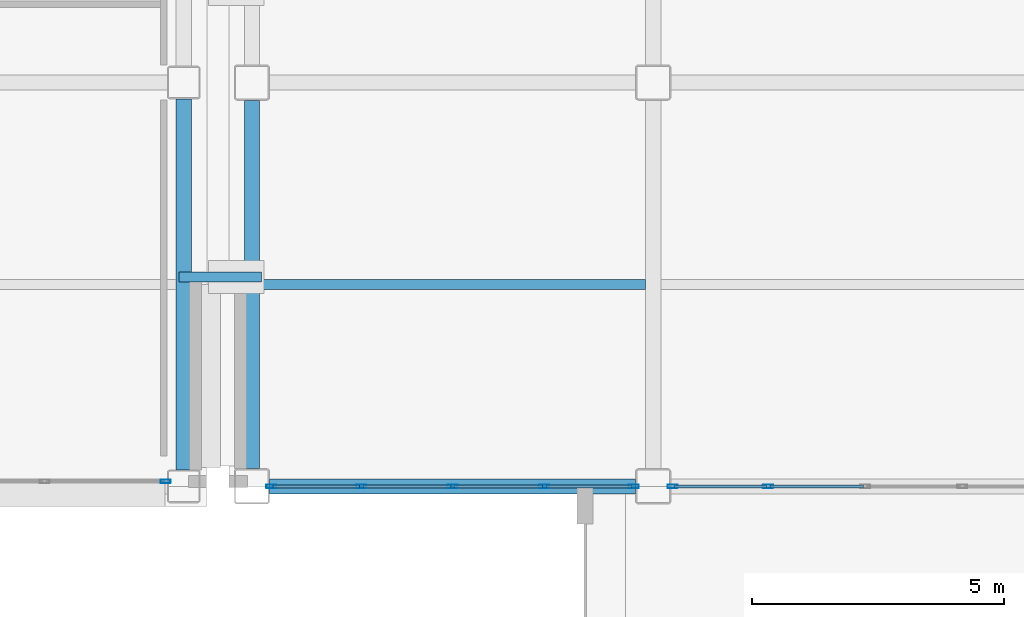
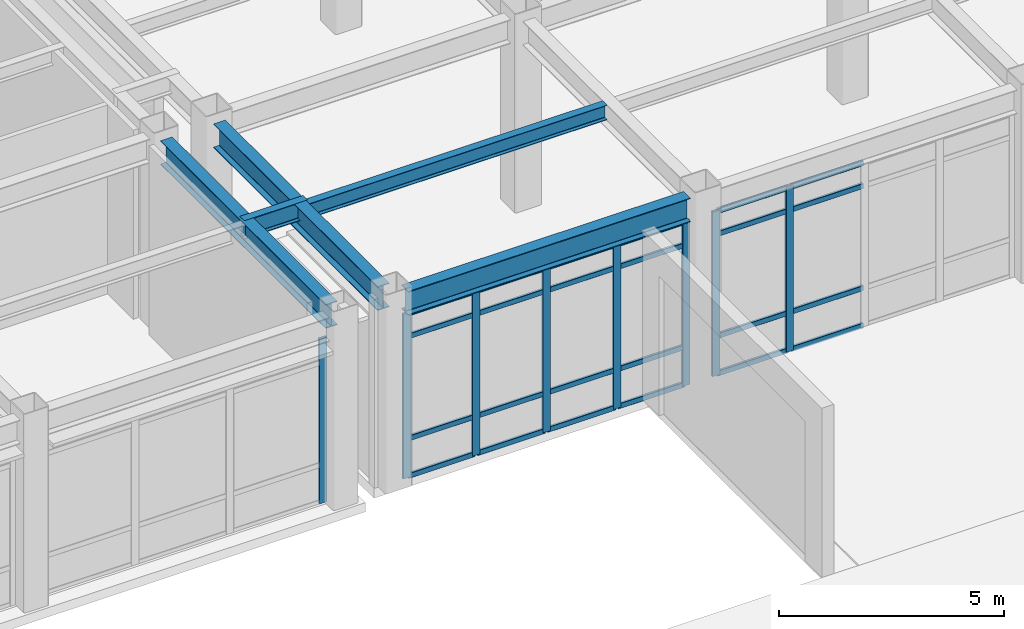
# One storey, part 45 of 165: 32 members, 5 beams, 3 elements without a shape of their own.
"""IFC4 building model written with IfcOpenShell, lengths in metres."""

import ifcopenshell
import ifcopenshell.guid

model = None  # the IFC model being written
_history = None  # IfcOwnerHistory: only IFC2X3 demands one
_inside = {}  # id of a spatial element -> (the spatial element, [elements in it])
_under = {}  # id of a project, library or spatial element -> (it, [spatial elements below it])
_declared = {}  # id of a project -> (the project, [libraries it declares])
_typed = {}  # id of a type object -> (the type object, [elements of that type])
_made_of = {}  # id of a material, layer set ... -> (it, [elements and type objects made of it])


def new_model(schema):
    """Start an empty IFC model of exactly this schema.

    Asked for "IFC4X3", IfcOpenShell would pick the latest addendum, in which some entities
    have other attributes; the version numbers below select the first issue.
    IFC2X3 requires an IfcOwnerHistory on every rooted entity: one is made here for all.
    """
    global model, _history
    if schema == "IFC4X3":
        model = ifcopenshell.file(schema_version=(4, 3, 0, 0))
    else:
        model = ifcopenshell.file(schema=schema)
    _inside.clear()
    _under.clear()
    _declared.clear()
    _typed.clear()
    _made_of.clear()
    _history = None
    if model.schema == "IFC2X3":
        org = make("IfcOrganization", Name="unknown")
        user = make(
            "IfcPersonAndOrganization",
            ThePerson=make("IfcPerson", FamilyName="unknown"),
            TheOrganization=org,
        )
        app = make(
            "IfcApplication",
            ApplicationDeveloper=org,
            Version="unknown",
            ApplicationFullName="unknown",
            ApplicationIdentifier="unknown",
        )
        _history = make(
            "IfcOwnerHistory",
            OwningUser=user,
            OwningApplication=app,
            ChangeAction="ADDED",
            CreationDate=0,
        )
    return model


def make(cls, **values):
    """One entity of the class cls with the attributes given. An attribute that is None is left unset."""
    return model.create_entity(
        cls, **{name: value for name, value in values.items() if value is not None}
    )


def rooted(cls, **values):
    """An entity with a GlobalId (a new one), such as an element, a storey or a relation."""
    return make(cls, GlobalId=ifcopenshell.guid.new(), OwnerHistory=_history, **values)


def si_unit(unit_type, name, prefix=None):
    """IfcSIUnit, for example si_unit("LENGTHUNIT", "METRE", prefix="MILLI")."""
    return make("IfcSIUnit", UnitType=unit_type, Prefix=prefix, Name=name)


def assignment(units):
    """IfcUnitAssignment: the units of a project."""
    return None if units is None else make("IfcUnitAssignment", Units=units)


def point(xyz):
    """IfcCartesianPoint."""
    return None if xyz is None else make("IfcCartesianPoint", Coordinates=xyz)


def direction(xyz):
    """IfcDirection."""
    return None if xyz is None else make("IfcDirection", DirectionRatios=xyz)


def frame(location, z_axis=None, x_axis=None):
    """IfcAxis2Placement3D, a coordinate frame: its origin and axes. An axis left out is left unset."""
    return make(
        "IfcAxis2Placement3D",
        Location=point(location),
        Axis=direction(z_axis),
        RefDirection=direction(x_axis),
    )


def frame_2d(location, x_axis=None):
    """IfcAxis2Placement2D, a coordinate frame in the plane: its origin and x axis."""
    return make(
        "IfcAxis2Placement2D", Location=point(location), RefDirection=direction(x_axis)
    )


def origin():
    """The frame at (0, 0, 0) with its axes left unset."""
    return frame((0.0, 0.0, 0.0))


def origin_2d():
    """The frame at (0, 0) in the plane with its x axis left unset."""
    return frame_2d((0.0, 0.0))


def place(relative_to, where):
    """IfcLocalPlacement: puts the frame where relative to a parent placement (None: the world)."""
    return make(
        "IfcLocalPlacement", PlacementRelTo=relative_to, RelativePlacement=where
    )


def context(
    kind, dimensions, precision=None, world=None, true_north=None, identifier=None
):
    """IfcGeometricRepresentationContext, for example the 3D "Model" context."""
    return make(
        "IfcGeometricRepresentationContext",
        ContextIdentifier=identifier,
        ContextType=kind,
        CoordinateSpaceDimension=dimensions,
        Precision=precision,
        WorldCoordinateSystem=world,
        TrueNorth=true_north,
    )


def subcontext(parent, identifier, kind, view, scale=None):
    """IfcGeometricRepresentationSubContext, for example "Body" below "Model"."""
    return make(
        "IfcGeometricRepresentationSubContext",
        ContextIdentifier=identifier,
        ContextType=kind,
        ParentContext=parent,
        TargetScale=scale,
        TargetView=view,
    )


def project(units=None, contexts=None):
    """IfcProject with its units and contexts."""
    return rooted(
        "IfcProject",
        Name="project",
        RepresentationContexts=contexts,
        UnitsInContext=assignment(units),
    )


def spatial(cls, under=None, at=None, **own):
    """A site, building, storey or space (cls), placed at a placement, below another one or the project."""
    s = rooted(cls, ObjectPlacement=at, **own)
    if under is not None:
        _under.setdefault(under.id(), (under, []))[1].append(s)
    return s


def profile(cls, at=None, kind="AREA", **sizes):
    """A parametric profile (cls). Its sizes go by their IFC names, for example OverallWidth=200.0."""
    return make(cls, ProfileType=kind, Position=at, **sizes)


def hollow_rectangle(**sizes):
    """IfcRectangleHollowProfileDef."""
    return profile("IfcRectangleHollowProfileDef", **sizes)


def i_section(**sizes):
    """IfcIShapeProfileDef."""
    return profile("IfcIShapeProfileDef", **sizes)


def extrude(swept, where, along, depth):
    """IfcExtrudedAreaSolid: the profile swept, set in the frame where, extruded along a direction by depth."""
    return make(
        "IfcExtrudedAreaSolid",
        SweptArea=swept,
        Position=where,
        ExtrudedDirection=direction(along),
        Depth=depth,
    )


def shape(context_of_items, identifier, shape_type, items):
    """IfcShapeRepresentation: the items that make up one representation, for example the "Body"."""
    return make(
        "IfcShapeRepresentation",
        ContextOfItems=context_of_items,
        RepresentationIdentifier=identifier,
        RepresentationType=shape_type,
        Items=items,
    )


def material(Name=None, Category=None):
    """IfcMaterial."""
    return make("IfcMaterial", Name=Name, Category=Category)


def layer(
    of_material, thickness, ventilated=None, Name=None, Category=None, Priority=None
):
    """IfcMaterialLayer: one layer of a wall or slab, of a material (None: an air gap)."""
    return make(
        "IfcMaterialLayer",
        Material=of_material,
        LayerThickness=thickness,
        IsVentilated=ventilated,
        Name=Name,
        Category=Category,
        Priority=Priority,
    )


def layer_set(layers, Name=None):
    """IfcMaterialLayerSet."""
    return make("IfcMaterialLayerSet", MaterialLayers=layers, LayerSetName=Name)


def material_profile(
    of_material, cross_section, Name=None, Category=None, Priority=None
):
    """IfcMaterialProfile: a cross section and its material."""
    return make(
        "IfcMaterialProfile",
        Name=Name,
        Material=of_material,
        Profile=cross_section,
        Priority=Priority,
        Category=Category,
    )


def profile_set(profiles, Name=None, composite=None):
    """IfcMaterialProfileSet."""
    return make(
        "IfcMaterialProfileSet",
        Name=Name,
        MaterialProfiles=profiles,
        CompositeProfile=composite,
    )


def made_of(thing, what):
    """Note that an element or type object is made of a material, layer set ...; save() writes the relation."""
    if what is not None:
        _made_of.setdefault(what.id(), (what, []))[1].append(thing)
    return thing


def type_object(cls, material=None, **own):
    """A type object (cls), such as IfcWallType, which elements share."""
    return made_of(rooted(cls, **own), material)


def element(
    cls,
    number,
    at=None,
    inside=None,
    cuts=None,
    type_object=None,
    material=None,
    context=None,
    identifier="Body",
    shape_type=None,
    held_by="IfcProductDefinitionShape",
    body=None,
    shapes=None,
    **own,
):
    """One element of the class cls, such as IfcWall. Its Tag is "e" and its number.

    at: its placement. inside: the storey or other place that contains it. cuts: it is an
    opening in that element (IfcRelVoidsElement). A single representation is given by context,
    identifier, shape_type and body (its items); several are given by shapes. held_by: the class
    of the entity that holds the representations. save() writes the other relations.
    """
    e = rooted(cls, Tag="e%d" % number, ObjectPlacement=at, **own)
    if body is not None:
        shapes = [shape(context, identifier, shape_type, body)]
    if shapes is not None:
        e.Representation = make(held_by, Representations=shapes)
    if inside is not None:
        _inside.setdefault(inside.id(), (inside, []))[1].append(e)
    if cuts is not None:
        rooted(
            "IfcRelVoidsElement", RelatingBuildingElement=cuts, RelatedOpeningElement=e
        )
    if type_object is not None:
        _typed.setdefault(type_object.id(), (type_object, []))[1].append(e)
    return made_of(e, material)


def aggregate(whole, parts):
    """IfcRelAggregates: a whole, such as a stair, and the parts it consists of."""
    return rooted("IfcRelAggregates", RelatingObject=whole, RelatedObjects=parts)


def save(model, path):
    """Write the relations noted so far, then the file.

    IfcRelAggregates (storeys below a building ...), IfcRelContainedInSpatialStructure (elements
    in a storey), IfcRelDefinesByType, IfcRelAssociatesMaterial and IfcRelDeclares: one each for
    every whole, place, type object, material and project.
    """
    for whole, parts in _under.values():
        aggregate(whole, parts)
    for where, things in _inside.values():
        rooted(
            "IfcRelContainedInSpatialStructure",
            RelatedElements=things,
            RelatingStructure=where,
        )
    for kind, things in _typed.values():
        rooted("IfcRelDefinesByType", RelatedObjects=things, RelatingType=kind)
    for what, things in _made_of.values():
        rooted("IfcRelAssociatesMaterial", RelatedObjects=things, RelatingMaterial=what)
    for by, libraries in _declared.values():
        rooted("IfcRelDeclares", RelatingContext=by, RelatedDefinitions=libraries)
    model.write(path)


model = new_model("IFC4")

# Units and contexts
model_context = context("Model", 3, precision=1e-05, world=origin(), true_north=direction((0.0, 1.0)))
body_context = subcontext(model_context, "Body", "Model", "MODEL_VIEW")
ifc_project = project(units=[si_unit("LENGTHUNIT", "METRE"), si_unit("AREAUNIT", "SQUARE_METRE"), si_unit("VOLUMEUNIT", "CUBIC_METRE"), si_unit("PLANEANGLEUNIT", "RADIAN"), si_unit("MASSUNIT", "GRAM", prefix="KILO")], contexts=[model_context])

# Site, building, storey
site_placement = place(None, origin())
site = spatial("IfcSite", under=ifc_project, at=site_placement, CompositionType="ELEMENT")
building_placement = place(site_placement, origin())
building = spatial("IfcBuilding", under=site, at=building_placement, Name="Kazehara Bluff Congress Hotel", CompositionType="ELEMENT")
storey_placement = place(building_placement, origin())
storey = spatial("IfcBuildingStorey", under=building, at=storey_placement, Name="L00", CompositionType="ELEMENT", Elevation=0.0)

# Curtain wall, members
ifc_material_1 = material(Name="Anodised aluminium", Category="aluminium")
ifc_layer_1 = layer(ifc_material_1, 0.159912109375)
ifc_layer_set_1 = layer_set([ifc_layer_1], Name="Anodised aluminium")
curtain_wall_type_1 = type_object("IfcCurtainWallType", Name="TP-CW-77", PredefinedType="NOTDEFINED", material=ifc_layer_set_1)
curtain_wall_1_placement = place(storey_placement, origin())
curtain_wall_1 = element("IfcCurtainWall", 1, at=curtain_wall_1_placement, inside=storey, type_object=curtain_wall_type_1, Name="L00 curtain wall CW-77 CW-V5-L00-Y1600-11090", PredefinedType="NOTDEFINED")
ifc_material_2 = material(Name="Anodised aluminium", Category="aluminium")
ifc_material_profile_1 = material_profile(ifc_material_2, hollow_rectangle(XDim=0.070068359375, YDim=0.199951171875, WallThickness=0.0048828125, InnerFilletRadius=0.0048828125, OuterFilletRadius=0.010009765625, at=origin_2d()))
ifc_profile_set_1 = profile_set([ifc_material_profile_1], Name="Anodised aluminium")
member_type_1 = type_object("IfcMemberType", Name="TP-CWM-03", PredefinedType="MULLION", material=ifc_profile_set_1)
member_1_placement = place(storey_placement, frame((110.93505859375, 16.0, 0.0), z_axis=(0.0, 0.0, 1.0), x_axis=(0.0, 1.0, 0.0)))
member_1 = element("IfcMember", 2, at=member_1_placement, type_object=member_type_1, Name="CW-77 mullion 1", PredefinedType="MULLION", context=body_context, shape_type="SweptSolid", body=[
    extrude(hollow_rectangle(XDim=0.070068359375, YDim=0.199951171875, WallThickness=0.0048828125, InnerFilletRadius=0.0048828125, OuterFilletRadius=0.010009765625, at=origin_2d()), origin(), (0.0, 0.0, 1.0), 4.47509765625),
])
member_2_placement = place(storey_placement, frame((112.71240234375, 16.0, 0.0), z_axis=(0.0, 0.0, 1.0), x_axis=(0.0, 1.0, 0.0)))
member_2 = element("IfcMember", 3, at=member_2_placement, type_object=member_type_1, Name="CW-77 mullion 2", PredefinedType="MULLION", context=body_context, shape_type="SweptSolid", body=[
    extrude(hollow_rectangle(XDim=0.070068359375, YDim=0.199951171875, WallThickness=0.0048828125, InnerFilletRadius=0.0048828125, OuterFilletRadius=0.010009765625, at=origin_2d()), origin(), (0.0, 0.0, 1.0), 4.47509765625),
])
member_3_placement = place(storey_placement, frame((114.52490234375, 16.0, 0.0), z_axis=(0.0, 0.0, 1.0), x_axis=(0.0, 1.0, 0.0)))
member_3 = element("IfcMember", 4, at=member_3_placement, type_object=member_type_1, Name="CW-77 mullion 3", PredefinedType="MULLION", context=body_context, shape_type="SweptSolid", body=[
    extrude(hollow_rectangle(XDim=0.070068359375, YDim=0.199951171875, WallThickness=0.0048828125, InnerFilletRadius=0.0048828125, OuterFilletRadius=0.010009765625, at=origin_2d()), origin(), (0.0, 0.0, 1.0), 4.47509765625),
])
member_4_placement = place(storey_placement, frame((116.33740234375, 16.0, 0.0), z_axis=(0.0, 0.0, 1.0), x_axis=(0.0, 1.0, 0.0)))
member_4 = element("IfcMember", 5, at=member_4_placement, type_object=member_type_1, Name="CW-77 mullion 4", PredefinedType="MULLION", context=body_context, shape_type="SweptSolid", body=[
    extrude(hollow_rectangle(XDim=0.070068359375, YDim=0.199951171875, WallThickness=0.0048828125, InnerFilletRadius=0.0048828125, OuterFilletRadius=0.010009765625, at=origin_2d()), origin(), (0.0, 0.0, 1.0), 4.47509765625),
])
member_5_placement = place(storey_placement, frame((118.114990234375, 16.0, 0.0), z_axis=(0.0, 0.0, 1.0), x_axis=(0.0, 1.0, 0.0)))
member_5 = element("IfcMember", 6, at=member_5_placement, type_object=member_type_1, Name="CW-77 mullion 5", PredefinedType="MULLION", context=body_context, shape_type="SweptSolid", body=[
    extrude(hollow_rectangle(XDim=0.070068359375, YDim=0.199951171875, WallThickness=0.0048828125, InnerFilletRadius=0.0048828125, OuterFilletRadius=0.010009765625, at=origin_2d()), origin(), (0.0, 0.0, 1.0), 4.47509765625),
])

ifc_material_3 = material(Name="Anodised aluminium", Category="aluminium")
ifc_layer_2 = layer(ifc_material_3, 0.159912109375)
ifc_layer_set_2 = layer_set([ifc_layer_2], Name="Anodised aluminium")
curtain_wall_type_2 = type_object("IfcCurtainWallType", Name="TP-CW-26", PredefinedType="NOTDEFINED", material=ifc_layer_set_2)
curtain_wall_2_placement = place(storey_placement, origin())
curtain_wall_2 = element("IfcCurtainWall", 7, at=curtain_wall_2_placement, inside=storey, type_object=curtain_wall_type_2, Name="L00 curtain wall CW-26 CW-V5-L00-Y1600-11885", PredefinedType="NOTDEFINED")
member_6_placement = place(storey_placement, frame((118.885009765625, 16.0, 0.0), z_axis=(0.0, 0.0, 1.0), x_axis=(0.0, 1.0, 0.0)))
member_6 = element("IfcMember", 8, at=member_6_placement, type_object=member_type_1, Name="CW-26 mullion 1", PredefinedType="MULLION", context=body_context, shape_type="SweptSolid", body=[
    extrude(hollow_rectangle(XDim=0.070068359375, YDim=0.199951171875, WallThickness=0.0048828125, InnerFilletRadius=0.0048828125, OuterFilletRadius=0.010009765625, at=origin_2d()), origin(), (0.0, 0.0, 1.0), 4.47509765625),
])
member_7_placement = place(storey_placement, frame((120.77490234375, 16.0, 0.0), z_axis=(0.0, 0.0, 1.0), x_axis=(0.0, 1.0, 0.0)))
member_7 = element("IfcMember", 9, at=member_7_placement, type_object=member_type_1, Name="CW-26 mullion 2", PredefinedType="MULLION", context=body_context, shape_type="SweptSolid", body=[
    extrude(hollow_rectangle(XDim=0.070068359375, YDim=0.199951171875, WallThickness=0.0048828125, InnerFilletRadius=0.0048828125, OuterFilletRadius=0.010009765625, at=origin_2d()), origin(), (0.0, 0.0, 1.0), 4.47509765625),
])

# Curtain wall, member
ifc_material_4 = material(Name="Anodised aluminium", Category="aluminium")
ifc_layer_3 = layer(ifc_material_4, 0.159912109375)
ifc_layer_set_3 = layer_set([ifc_layer_3], Name="Anodised aluminium")
curtain_wall_type_3 = type_object("IfcCurtainWallType", Name="TP-CW-32", PredefinedType="NOTDEFINED", material=ifc_layer_set_3)
curtain_wall_3_placement = place(storey_placement, origin())
curtain_wall_3 = element("IfcCurtainWall", 10, at=curtain_wall_3_placement, inside=storey, type_object=curtain_wall_type_3, Name="L00 curtain wall CW-32 CW-ENC-V4-L00-10522-1610", PredefinedType="NOTDEFINED")
member_8_placement = place(storey_placement, frame((108.840087890625, 16.10009765625, 0.0), z_axis=(0.0, 0.0, 1.0), x_axis=(0.0, -1.0, 0.0)))
member_8 = element("IfcMember", 11, at=member_8_placement, type_object=member_type_1, Name="CW-32 mullion 1", PredefinedType="MULLION", context=body_context, shape_type="SweptSolid", body=[
    extrude(hollow_rectangle(XDim=0.070068359375, YDim=0.199951171875, WallThickness=0.0048828125, InnerFilletRadius=0.0048828125, OuterFilletRadius=0.010009765625, at=origin_2d()), origin(), (0.0, 0.0, 1.0), 4.47509765625),
])
aggregate(curtain_wall_3, [member_8])

# Member
ifc_material_5 = material(Name="Anodised aluminium", Category="aluminium")
ifc_material_profile_2 = material_profile(ifc_material_5, hollow_rectangle(XDim=0.06494140625, YDim=0.139892578125, WallThickness=0.00390625, InnerFilletRadius=0.00390625, OuterFilletRadius=0.008056640625, at=origin_2d()))
ifc_profile_set_2 = profile_set([ifc_material_profile_2], Name="Anodised aluminium")
member_type_2 = type_object("IfcMemberType", Name="TP-CWT-02", PredefinedType="USERDEFINED", material=ifc_profile_set_2)
member_9_placement = place(storey_placement, frame((110.969970703125, 16.0, 0.032470703125), z_axis=(1.0, 0.0, 0.0), x_axis=(0.0, 1.0, 0.0)))
member_9 = element("IfcMember", 12, at=member_9_placement, type_object=member_type_2, Name="CW-77 transom 1.1", ObjectType="TRANSOM", PredefinedType="USERDEFINED", context=body_context, shape_type="SweptSolid", body=[
    extrude(hollow_rectangle(XDim=0.06494140625, YDim=0.139892578125, WallThickness=0.00390625, InnerFilletRadius=0.00390625, OuterFilletRadius=0.008056640625, at=origin_2d()), origin(), (0.0, 0.0, 1.0), 1.70751953125),
])

member_10_placement = place(storey_placement, frame((110.969970703125, 16.0, 1.050048828125), z_axis=(1.0, 0.0, 0.0), x_axis=(0.0, 1.0, 0.0)))
member_10 = element("IfcMember", 13, at=member_10_placement, type_object=member_type_2, Name="CW-77 transom 1.2", ObjectType="TRANSOM", PredefinedType="USERDEFINED", context=body_context, shape_type="SweptSolid", body=[
    extrude(hollow_rectangle(XDim=0.06494140625, YDim=0.139892578125, WallThickness=0.00390625, InnerFilletRadius=0.00390625, OuterFilletRadius=0.008056640625, at=origin_2d()), origin(), (0.0, 0.0, 1.0), 1.70751953125),
])

member_11_placement = place(storey_placement, frame((110.969970703125, 16.0, 3.824951171875), z_axis=(1.0, 0.0, 0.0), x_axis=(0.0, 1.0, 0.0)))
member_11 = element("IfcMember", 14, at=member_11_placement, type_object=member_type_2, Name="CW-77 transom 1.3", ObjectType="TRANSOM", PredefinedType="USERDEFINED", context=body_context, shape_type="SweptSolid", body=[
    extrude(hollow_rectangle(XDim=0.06494140625, YDim=0.139892578125, WallThickness=0.00390625, InnerFilletRadius=0.00390625, OuterFilletRadius=0.008056640625, at=origin_2d()), origin(), (0.0, 0.0, 1.0), 1.70751953125),
])

member_12_placement = place(storey_placement, frame((110.969970703125, 16.0, 4.4423828125), z_axis=(1.0, 0.0, 0.0), x_axis=(0.0, 1.0, 0.0)))
member_12 = element("IfcMember", 15, at=member_12_placement, type_object=member_type_2, Name="CW-77 transom 1.4", ObjectType="TRANSOM", PredefinedType="USERDEFINED", context=body_context, shape_type="SweptSolid", body=[
    extrude(hollow_rectangle(XDim=0.06494140625, YDim=0.139892578125, WallThickness=0.00390625, InnerFilletRadius=0.00390625, OuterFilletRadius=0.008056640625, at=origin_2d()), origin(), (0.0, 0.0, 1.0), 1.70751953125),
])

member_13_placement = place(storey_placement, frame((112.74755859375, 16.0, 0.032470703125), z_axis=(1.0, 0.0, 0.0), x_axis=(0.0, 1.0, 0.0)))
member_13 = element("IfcMember", 16, at=member_13_placement, type_object=member_type_2, Name="CW-77 transom 2.1", ObjectType="TRANSOM", PredefinedType="USERDEFINED", context=body_context, shape_type="SweptSolid", body=[
    extrude(hollow_rectangle(XDim=0.06494140625, YDim=0.139892578125, WallThickness=0.00390625, InnerFilletRadius=0.00390625, OuterFilletRadius=0.008056640625, at=origin_2d()), origin(), (0.0, 0.0, 1.0), 1.742431640625),
])

member_14_placement = place(storey_placement, frame((112.74755859375, 16.0, 1.050048828125), z_axis=(1.0, 0.0, 0.0), x_axis=(0.0, 1.0, 0.0)))
member_14 = element("IfcMember", 17, at=member_14_placement, type_object=member_type_2, Name="CW-77 transom 2.2", ObjectType="TRANSOM", PredefinedType="USERDEFINED", context=body_context, shape_type="SweptSolid", body=[
    extrude(hollow_rectangle(XDim=0.06494140625, YDim=0.139892578125, WallThickness=0.00390625, InnerFilletRadius=0.00390625, OuterFilletRadius=0.008056640625, at=origin_2d()), origin(), (0.0, 0.0, 1.0), 1.742431640625),
])

member_15_placement = place(storey_placement, frame((112.74755859375, 16.0, 3.824951171875), z_axis=(1.0, 0.0, 0.0), x_axis=(0.0, 1.0, 0.0)))
member_15 = element("IfcMember", 18, at=member_15_placement, type_object=member_type_2, Name="CW-77 transom 2.3", ObjectType="TRANSOM", PredefinedType="USERDEFINED", context=body_context, shape_type="SweptSolid", body=[
    extrude(hollow_rectangle(XDim=0.06494140625, YDim=0.139892578125, WallThickness=0.00390625, InnerFilletRadius=0.00390625, OuterFilletRadius=0.008056640625, at=origin_2d()), origin(), (0.0, 0.0, 1.0), 1.742431640625),
])

member_16_placement = place(storey_placement, frame((112.74755859375, 16.0, 4.4423828125), z_axis=(1.0, 0.0, 0.0), x_axis=(0.0, 1.0, 0.0)))
member_16 = element("IfcMember", 19, at=member_16_placement, type_object=member_type_2, Name="CW-77 transom 2.4", ObjectType="TRANSOM", PredefinedType="USERDEFINED", context=body_context, shape_type="SweptSolid", body=[
    extrude(hollow_rectangle(XDim=0.06494140625, YDim=0.139892578125, WallThickness=0.00390625, InnerFilletRadius=0.00390625, OuterFilletRadius=0.008056640625, at=origin_2d()), origin(), (0.0, 0.0, 1.0), 1.742431640625),
])

member_17_placement = place(storey_placement, frame((114.56005859375, 16.0, 0.032470703125), z_axis=(1.0, 0.0, 0.0), x_axis=(0.0, 1.0, 0.0)))
member_17 = element("IfcMember", 20, at=member_17_placement, type_object=member_type_2, Name="CW-77 transom 3.1", ObjectType="TRANSOM", PredefinedType="USERDEFINED", context=body_context, shape_type="SweptSolid", body=[
    extrude(hollow_rectangle(XDim=0.06494140625, YDim=0.139892578125, WallThickness=0.00390625, InnerFilletRadius=0.00390625, OuterFilletRadius=0.008056640625, at=origin_2d()), origin(), (0.0, 0.0, 1.0), 1.742431640625),
])

member_18_placement = place(storey_placement, frame((114.56005859375, 16.0, 1.050048828125), z_axis=(1.0, 0.0, 0.0), x_axis=(0.0, 1.0, 0.0)))
member_18 = element("IfcMember", 21, at=member_18_placement, type_object=member_type_2, Name="CW-77 transom 3.2", ObjectType="TRANSOM", PredefinedType="USERDEFINED", context=body_context, shape_type="SweptSolid", body=[
    extrude(hollow_rectangle(XDim=0.06494140625, YDim=0.139892578125, WallThickness=0.00390625, InnerFilletRadius=0.00390625, OuterFilletRadius=0.008056640625, at=origin_2d()), origin(), (0.0, 0.0, 1.0), 1.742431640625),
])

member_19_placement = place(storey_placement, frame((114.56005859375, 16.0, 3.824951171875), z_axis=(1.0, 0.0, 0.0), x_axis=(0.0, 1.0, 0.0)))
member_19 = element("IfcMember", 22, at=member_19_placement, type_object=member_type_2, Name="CW-77 transom 3.3", ObjectType="TRANSOM", PredefinedType="USERDEFINED", context=body_context, shape_type="SweptSolid", body=[
    extrude(hollow_rectangle(XDim=0.06494140625, YDim=0.139892578125, WallThickness=0.00390625, InnerFilletRadius=0.00390625, OuterFilletRadius=0.008056640625, at=origin_2d()), origin(), (0.0, 0.0, 1.0), 1.742431640625),
])

member_20_placement = place(storey_placement, frame((114.56005859375, 16.0, 4.4423828125), z_axis=(1.0, 0.0, 0.0), x_axis=(0.0, 1.0, 0.0)))
member_20 = element("IfcMember", 23, at=member_20_placement, type_object=member_type_2, Name="CW-77 transom 3.4", ObjectType="TRANSOM", PredefinedType="USERDEFINED", context=body_context, shape_type="SweptSolid", body=[
    extrude(hollow_rectangle(XDim=0.06494140625, YDim=0.139892578125, WallThickness=0.00390625, InnerFilletRadius=0.00390625, OuterFilletRadius=0.008056640625, at=origin_2d()), origin(), (0.0, 0.0, 1.0), 1.742431640625),
])

member_21_placement = place(storey_placement, frame((116.37255859375, 16.0, 0.032470703125), z_axis=(1.0, 0.0, 0.0), x_axis=(0.0, 1.0, 0.0)))
member_21 = element("IfcMember", 24, at=member_21_placement, type_object=member_type_2, Name="CW-77 transom 4.1", ObjectType="TRANSOM", PredefinedType="USERDEFINED", context=body_context, shape_type="SweptSolid", body=[
    extrude(hollow_rectangle(XDim=0.06494140625, YDim=0.139892578125, WallThickness=0.00390625, InnerFilletRadius=0.00390625, OuterFilletRadius=0.008056640625, at=origin_2d()), origin(), (0.0, 0.0, 1.0), 1.70751953125),
])

member_22_placement = place(storey_placement, frame((116.37255859375, 16.0, 1.050048828125), z_axis=(1.0, 0.0, 0.0), x_axis=(0.0, 1.0, 0.0)))
member_22 = element("IfcMember", 25, at=member_22_placement, type_object=member_type_2, Name="CW-77 transom 4.2", ObjectType="TRANSOM", PredefinedType="USERDEFINED", context=body_context, shape_type="SweptSolid", body=[
    extrude(hollow_rectangle(XDim=0.06494140625, YDim=0.139892578125, WallThickness=0.00390625, InnerFilletRadius=0.00390625, OuterFilletRadius=0.008056640625, at=origin_2d()), origin(), (0.0, 0.0, 1.0), 1.70751953125),
])

member_23_placement = place(storey_placement, frame((116.37255859375, 16.0, 3.824951171875), z_axis=(1.0, 0.0, 0.0), x_axis=(0.0, 1.0, 0.0)))
member_23 = element("IfcMember", 26, at=member_23_placement, type_object=member_type_2, Name="CW-77 transom 4.3", ObjectType="TRANSOM", PredefinedType="USERDEFINED", context=body_context, shape_type="SweptSolid", body=[
    extrude(hollow_rectangle(XDim=0.06494140625, YDim=0.139892578125, WallThickness=0.00390625, InnerFilletRadius=0.00390625, OuterFilletRadius=0.008056640625, at=origin_2d()), origin(), (0.0, 0.0, 1.0), 1.70751953125),
])

member_24_placement = place(storey_placement, frame((116.37255859375, 16.0, 4.4423828125), z_axis=(1.0, 0.0, 0.0), x_axis=(0.0, 1.0, 0.0)))
member_24 = element("IfcMember", 27, at=member_24_placement, type_object=member_type_2, Name="CW-77 transom 4.4", ObjectType="TRANSOM", PredefinedType="USERDEFINED", context=body_context, shape_type="SweptSolid", body=[
    extrude(hollow_rectangle(XDim=0.06494140625, YDim=0.139892578125, WallThickness=0.00390625, InnerFilletRadius=0.00390625, OuterFilletRadius=0.008056640625, at=origin_2d()), origin(), (0.0, 0.0, 1.0), 1.70751953125),
])

aggregate(curtain_wall_1, [member_1, member_2, member_3, member_4, member_5, member_9, member_10, member_11, member_12, member_13, member_14, member_15, member_16, member_17, member_18, member_19, member_20, member_21, member_22, member_23, member_24])

member_25_placement = place(storey_placement, frame((118.919921875, 16.0, 0.032470703125), z_axis=(1.0, 0.0, 0.0), x_axis=(0.0, 1.0, 0.0)))
member_25 = element("IfcMember", 28, at=member_25_placement, type_object=member_type_2, Name="CW-26 transom 1.1", ObjectType="TRANSOM", PredefinedType="USERDEFINED", context=body_context, shape_type="SweptSolid", body=[
    extrude(hollow_rectangle(XDim=0.06494140625, YDim=0.139892578125, WallThickness=0.00390625, InnerFilletRadius=0.00390625, OuterFilletRadius=0.008056640625, at=origin_2d()), origin(), (0.0, 0.0, 1.0), 1.820068359375),
])

member_26_placement = place(storey_placement, frame((118.919921875, 16.0, 1.050048828125), z_axis=(1.0, 0.0, 0.0), x_axis=(0.0, 1.0, 0.0)))
member_26 = element("IfcMember", 29, at=member_26_placement, type_object=member_type_2, Name="CW-26 transom 1.2", ObjectType="TRANSOM", PredefinedType="USERDEFINED", context=body_context, shape_type="SweptSolid", body=[
    extrude(hollow_rectangle(XDim=0.06494140625, YDim=0.139892578125, WallThickness=0.00390625, InnerFilletRadius=0.00390625, OuterFilletRadius=0.008056640625, at=origin_2d()), origin(), (0.0, 0.0, 1.0), 1.820068359375),
])

member_27_placement = place(storey_placement, frame((118.919921875, 16.0, 3.824951171875), z_axis=(1.0, 0.0, 0.0), x_axis=(0.0, 1.0, 0.0)))
member_27 = element("IfcMember", 30, at=member_27_placement, type_object=member_type_2, Name="CW-26 transom 1.3", ObjectType="TRANSOM", PredefinedType="USERDEFINED", context=body_context, shape_type="SweptSolid", body=[
    extrude(hollow_rectangle(XDim=0.06494140625, YDim=0.139892578125, WallThickness=0.00390625, InnerFilletRadius=0.00390625, OuterFilletRadius=0.008056640625, at=origin_2d()), origin(), (0.0, 0.0, 1.0), 1.820068359375),
])

member_28_placement = place(storey_placement, frame((118.919921875, 16.0, 4.4423828125), z_axis=(1.0, 0.0, 0.0), x_axis=(0.0, 1.0, 0.0)))
member_28 = element("IfcMember", 31, at=member_28_placement, type_object=member_type_2, Name="CW-26 transom 1.4", ObjectType="TRANSOM", PredefinedType="USERDEFINED", context=body_context, shape_type="SweptSolid", body=[
    extrude(hollow_rectangle(XDim=0.06494140625, YDim=0.139892578125, WallThickness=0.00390625, InnerFilletRadius=0.00390625, OuterFilletRadius=0.008056640625, at=origin_2d()), origin(), (0.0, 0.0, 1.0), 1.820068359375),
])

member_29_placement = place(storey_placement, frame((120.81005859375, 16.0, 0.032470703125), z_axis=(1.0, 0.0, 0.0), x_axis=(0.0, 1.0, 0.0)))
member_29 = element("IfcMember", 32, at=member_29_placement, type_object=member_type_2, Name="CW-26 transom 2.1", ObjectType="TRANSOM", PredefinedType="USERDEFINED", context=body_context, shape_type="SweptSolid", body=[
    extrude(hollow_rectangle(XDim=0.06494140625, YDim=0.139892578125, WallThickness=0.00390625, InnerFilletRadius=0.00390625, OuterFilletRadius=0.008056640625, at=origin_2d()), origin(), (0.0, 0.0, 1.0), 1.85498046875),
])

member_30_placement = place(storey_placement, frame((120.81005859375, 16.0, 1.050048828125), z_axis=(1.0, 0.0, 0.0), x_axis=(0.0, 1.0, 0.0)))
member_30 = element("IfcMember", 33, at=member_30_placement, type_object=member_type_2, Name="CW-26 transom 2.2", ObjectType="TRANSOM", PredefinedType="USERDEFINED", context=body_context, shape_type="SweptSolid", body=[
    extrude(hollow_rectangle(XDim=0.06494140625, YDim=0.139892578125, WallThickness=0.00390625, InnerFilletRadius=0.00390625, OuterFilletRadius=0.008056640625, at=origin_2d()), origin(), (0.0, 0.0, 1.0), 1.85498046875),
])

member_31_placement = place(storey_placement, frame((120.81005859375, 16.0, 3.824951171875), z_axis=(1.0, 0.0, 0.0), x_axis=(0.0, 1.0, 0.0)))
member_31 = element("IfcMember", 34, at=member_31_placement, type_object=member_type_2, Name="CW-26 transom 2.3", ObjectType="TRANSOM", PredefinedType="USERDEFINED", context=body_context, shape_type="SweptSolid", body=[
    extrude(hollow_rectangle(XDim=0.06494140625, YDim=0.139892578125, WallThickness=0.00390625, InnerFilletRadius=0.00390625, OuterFilletRadius=0.008056640625, at=origin_2d()), origin(), (0.0, 0.0, 1.0), 1.85498046875),
])

member_32_placement = place(storey_placement, frame((120.81005859375, 16.0, 4.4423828125), z_axis=(1.0, 0.0, 0.0), x_axis=(0.0, 1.0, 0.0)))
member_32 = element("IfcMember", 35, at=member_32_placement, type_object=member_type_2, Name="CW-26 transom 2.4", ObjectType="TRANSOM", PredefinedType="USERDEFINED", context=body_context, shape_type="SweptSolid", body=[
    extrude(hollow_rectangle(XDim=0.06494140625, YDim=0.139892578125, WallThickness=0.00390625, InnerFilletRadius=0.00390625, OuterFilletRadius=0.008056640625, at=origin_2d()), origin(), (0.0, 0.0, 1.0), 1.85498046875),
])

aggregate(curtain_wall_2, [member_6, member_7, member_25, member_26, member_27, member_28, member_29, member_30, member_31, member_32])

# Beams
ifc_material_6 = material(Name="Steel SN490B", Category="steel")
ifc_material_profile_3 = material_profile(ifc_material_6, i_section(OverallWidth=0.199951171875, OverallDepth=0.5, WebThickness=0.010009765625, FlangeThickness=0.01611328125, FilletRadius=0.012939453125, at=origin_2d()))
ifc_profile_set_3 = profile_set([ifc_material_profile_3], Name="Steel SN490B")
beam_type_1 = type_object("IfcBeamType", Name="TP-G-01", PredefinedType="BEAM", material=ifc_profile_set_3)
beam_1_placement = place(storey_placement, frame((109.110107421875, 20.14990234375, 4.89990234375), z_axis=(1.0, 0.0, 0.0), x_axis=(0.0, 1.0, 0.0)))
element("IfcBeam", 36, at=beam_1_placement, inside=storey, type_object=beam_type_1, Name="Bridge link beam BRG-45 L01-1", PredefinedType="BEAM", context=body_context, shape_type="SweptSolid", body=[
    extrude(i_section(OverallWidth=0.199951171875, OverallDepth=0.5, WebThickness=0.010009765625, FlangeThickness=0.01611328125, FilletRadius=0.012939453125, at=origin_2d()), origin(), (0.0, 0.0, 1.0), 1.6298828125),
])
ifc_material_7 = material(Name="Steel SN490B", Category="steel")
ifc_material_profile_4 = material_profile(ifc_material_7, i_section(OverallWidth=0.300048828125, OverallDepth=0.64990234375, WebThickness=0.011962890625, FlangeThickness=0.02001953125, FilletRadius=0.012939453125, at=origin_2d()))
ifc_profile_set_4 = profile_set([ifc_material_profile_4], Name="Steel SN490B")
beam_type_2 = type_object("IfcBeamType", Name="TP-G-03", PredefinedType="BEAM", material=ifc_profile_set_4)
beam_2_placement = place(storey_placement, frame((109.199951171875, 16.324951171875, 4.824951171875), z_axis=(0.0, 1.0, 0.0), x_axis=(-1.0, 0.0, 0.0)))
element("IfcBeam", 37, at=beam_2_placement, inside=storey, type_object=beam_type_2, Name="L00 girder G-03 180", PredefinedType="BEAM", context=body_context, shape_type="SweptSolid", body=[
    extrude(i_section(OverallWidth=0.300048828125, OverallDepth=0.64990234375, WebThickness=0.011962890625, FlangeThickness=0.02001953125, FilletRadius=0.012939453125, at=origin_2d()), origin(), (0.0, 0.0, 1.0), 7.35009765625),
])
beam_3_placement = place(storey_placement, frame((110.550048828125, 16.35009765625, 4.824951171875), z_axis=(0.0, 1.0, 0.0), x_axis=(-1.0, 0.0, 0.0)))
element("IfcBeam", 38, at=beam_3_placement, inside=storey, type_object=beam_type_2, Name="L00 girder G-03 221", PredefinedType="BEAM", context=body_context, shape_type="SweptSolid", body=[
    extrude(i_section(OverallWidth=0.300048828125, OverallDepth=0.64990234375, WebThickness=0.011962890625, FlangeThickness=0.02001953125, FilletRadius=0.012939453125, at=origin_2d()), origin(), (0.0, 0.0, 1.0), 7.2998046875),
])
beam_4_placement = place(storey_placement, frame((110.89990234375, 16.0, 4.824951171875), z_axis=(1.0, 0.0, 0.0), x_axis=(0.0, 1.0, 0.0)))
element("IfcBeam", 39, at=beam_4_placement, inside=storey, type_object=beam_type_2, Name="L00 girder G-03 277", PredefinedType="BEAM", context=body_context, shape_type="SweptSolid", body=[
    extrude(i_section(OverallWidth=0.300048828125, OverallDepth=0.64990234375, WebThickness=0.011962890625, FlangeThickness=0.02001953125, FilletRadius=0.012939453125, at=origin_2d()), origin(), (0.0, 0.0, 1.0), 7.25),
])
ifc_material_8 = material(Name="Steel SN400B", Category="steel")
ifc_material_profile_5 = material_profile(ifc_material_8, i_section(OverallWidth=0.199951171875, OverallDepth=0.39990234375, WebThickness=0.008056640625, FlangeThickness=0.012939453125, FilletRadius=0.012939453125, at=origin_2d()))
ifc_profile_set_5 = profile_set([ifc_material_profile_5], Name="Steel SN400B")
beam_type_3 = type_object("IfcBeamType", Name="TP-J-03", PredefinedType="JOIST", material=ifc_profile_set_5)
beam_5_placement = place(storey_placement, frame((110.699951171875, 20.0, 4.949951171875), z_axis=(1.0, 0.0, 0.0), x_axis=(0.0, 1.0, 0.0)))
element("IfcBeam", 40, at=beam_5_placement, inside=storey, type_object=beam_type_3, Name="L00 secondary joist J-03 53", PredefinedType="JOIST", context=body_context, shape_type="SweptSolid", body=[
    extrude(i_section(OverallWidth=0.199951171875, OverallDepth=0.39990234375, WebThickness=0.008056640625, FlangeThickness=0.012939453125, FilletRadius=0.012939453125, at=origin_2d()), origin(), (0.0, 0.0, 1.0), 7.650146484375),
])

save(model, "model.ifc")
